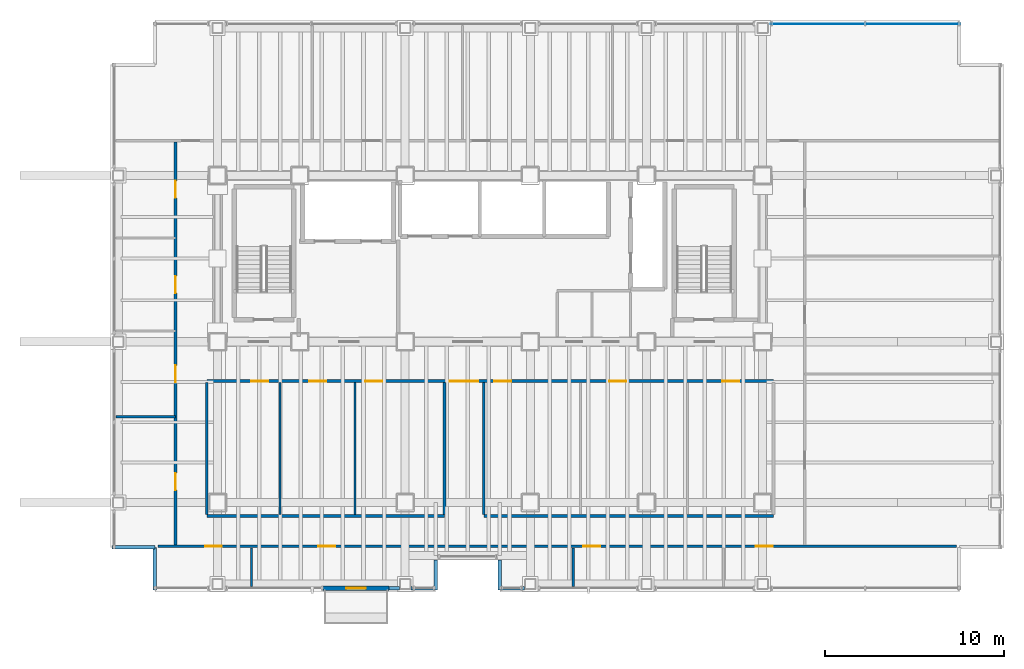
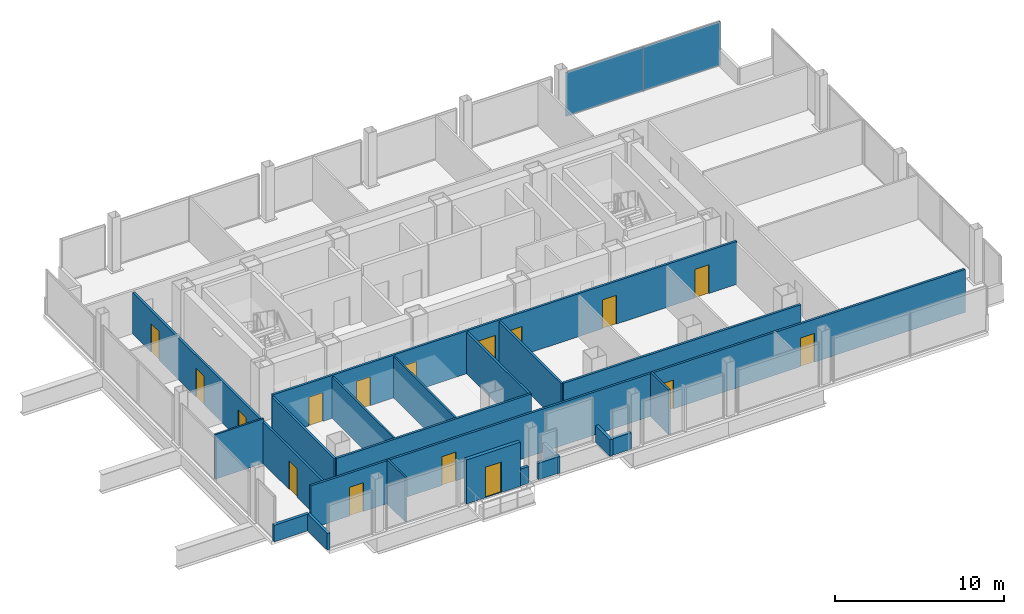
# One storey, part 20 of 23: 21 walls, 16 doors, 2 plates, 16 openings, 1 element without a shape of its own.
"""IFC4 building model written with IfcOpenShell, lengths in metres."""

from ifc_helpers import new_model, si_unit, direction, frame, frame_2d, origin, origin_2d, place, context, subcontext, project, spatial, rectangle, extrude, material, layer, layer_set, type_object, element, fill, aggregate, save


model = new_model("IFC4")

# Units and contexts
model_context = context("Model", 3, precision=1e-05, world=origin(), true_north=direction((0.0, 1.0)))
body_context = subcontext(model_context, "Body", "Model", "MODEL_VIEW")
ifc_project = project(units=[si_unit("LENGTHUNIT", "METRE"), si_unit("AREAUNIT", "SQUARE_METRE"), si_unit("VOLUMEUNIT", "CUBIC_METRE"), si_unit("PLANEANGLEUNIT", "RADIAN"), si_unit("MASSUNIT", "GRAM", prefix="KILO")], contexts=[model_context])

# Site, building, storey
site_placement = place(None, origin())
site = spatial("IfcSite", under=ifc_project, at=site_placement, CompositionType="ELEMENT")
building_placement = place(site_placement, origin())
building = spatial("IfcBuilding", under=site, at=building_placement, Name="Noeulbin Bourse Tower", CompositionType="ELEMENT")
storey_placement = place(building_placement, frame((0.0, 0.0, 53.800048828125)))
storey = spatial("IfcBuildingStorey", under=building, at=storey_placement, Name="L13", CompositionType="ELEMENT", Elevation=53.800048828125)

# Curtain wall, plates
ifc_material_1 = material(Name="Dark Solar-Control Double Glazing", Category="glass")
curtain_wall_type = type_object("IfcCurtainWallType", Name="CW-SYS-2", PredefinedType="NOTDEFINED", material=ifc_material_1)
curtain_wall_placement = place(storey_placement, origin())
curtain_wall = element("IfcCurtainWall", 1, at=curtain_wall_placement, inside=storey, type_object=curtain_wall_type, Name="Unitised Curtain Wall CW-L13-N-S6", PredefinedType="NOTDEFINED")
ifc_layer_1 = layer(ifc_material_1, 0.035888671875)
ifc_layer_set_1 = layer_set([ifc_layer_1], Name="Dark Solar-Control Double Glazing")
plate_type = type_object("IfcPlateType", Name="CW-SYS-2-PNL", PredefinedType="CURTAIN_PANEL", material=ifc_layer_set_1)
plate_1_placement = place(storey_placement, frame((47.10009765625, 46.780029296875, 0.0), z_axis=(0.0, 0.0, 1.0), x_axis=(1.0, 0.0, 0.0)))
plate_1 = element("IfcPlate", 2, at=plate_1_placement, type_object=plate_type, Name="Glazed Curtain Panel CW-L13-N-S6-P00", PredefinedType="CURTAIN_PANEL", context=body_context, shape_type="SweptSolid", body=[
    extrude(rectangle(XDim=5.280029296875, YDim=0.035888671875, at=origin_2d()), origin(), (0.0, 0.0, 1.0), 3.179931640625),
])
plate_2_placement = place(storey_placement, frame((52.3798828125, 46.780029296875, 0.0), z_axis=(0.0, 0.0, 1.0), x_axis=(1.0, 0.0, 0.0)))
plate_2 = element("IfcPlate", 3, at=plate_2_placement, type_object=plate_type, Name="Glazed Curtain Panel CW-L13-N-S6-P01", PredefinedType="CURTAIN_PANEL", context=body_context, shape_type="SweptSolid", body=[
    extrude(rectangle(XDim=5.280029296875, YDim=0.035888671875, at=origin_2d()), origin(), (0.0, 0.0, 1.0), 3.179931640625),
])
aggregate(curtain_wall, [plate_1, plate_2])

# Wall, opening, door
ifc_material_2 = material(Name="Precast Concrete C40/50", Category="concrete")
ifc_layer_2 = layer(ifc_material_2, 0.25)
ifc_layer_set_2 = layer_set([ifc_layer_2], Name="Precast Concrete C40/50")
wall_type_1 = type_object("IfcWallType", Name="WAL-EXT-250", PredefinedType="STANDARD", material=ifc_layer_set_2)
wall_1_placement = place(storey_placement, frame((19.39990234375, 15.219970703125, 0.0), z_axis=(0.0, 0.0, 1.0), x_axis=(1.0, 0.0, 0.0)))
wall_1 = element("IfcWall", 4, at=wall_1_placement, inside=storey, type_object=wall_type_1, Name="Balcony Threshold Wall L13", PredefinedType="STANDARD", context=body_context, shape_type="SweptSolid", body=[
    extrude(rectangle(XDim=3.7001953125, YDim=0.25, at=frame_2d((1.85009765625, 0.0))), origin(), (0.0, 0.0, 1.0), 3.179931640625),
])
opening_1_placement = place(wall_1_placement, frame((1.300048828125, 0.0, 0.0)))
opening_1 = element("IfcOpeningElement", 5, at=opening_1_placement, cuts=wall_1, Name="Opening BD-11", PredefinedType="OPENING", context=body_context, shape_type="SweptSolid", body=[
    extrude(rectangle(XDim=1.10009765625, YDim=2.199951171875, at=frame_2d((0.550048828125, 1.10009765625))), frame((0.0, 0.135009765625, 0.0), z_axis=(0.0, -1.0, 0.0), x_axis=(1.0, 0.0, 0.0)), (0.0, 0.0, 1.0), 0.27001953125),
])
ifc_material_3 = material(Name="Thermally Broken Aluminium Framed Glass", Category="aluminium")
door_type_1 = type_object("IfcDoorType", Name="DR-BAL-1100", OperationType="SINGLE_SWING_LEFT", PredefinedType="DOOR", material=ifc_material_3)
door_1_placement = place(opening_1_placement, origin())
door_1 = element("IfcDoor", 6, at=door_1_placement, inside=storey, type_object=door_type_1, Name="Tree-Balcony Access Door BD-L13", OperationType="SINGLE_SWING_LEFT", OverallHeight=2.199951171875, OverallWidth=1.10009765625, PredefinedType="DOOR", context=body_context, shape_type="SweptSolid", body=[
    extrude(rectangle(XDim=1.10009765625, YDim=2.199951171875, at=frame_2d((0.550048828125, 1.10009765625))), frame((0.0, 0.02490234375, 0.0), z_axis=(0.0, -1.0, 0.0), x_axis=(1.0, 0.0, 0.0)), (0.0, 0.0, 1.0), 0.050048828125),
])
fill(opening_1, door_1)

# Walls
ifc_material_4 = material(Name="Concrete C40/50", Category="concrete")
ifc_layer_3 = layer(ifc_material_4, 0.199951171875)
ifc_layer_set_3 = layer_set([ifc_layer_3], Name="Concrete C40/50")
wall_type_2 = type_object("IfcWallType", Name="WAL-PAR-200", PredefinedType="PARAPET", material=ifc_layer_set_3)
wall_2_placement = place(storey_placement, frame((23.10009765625, 15.219970703125, 0.0), z_axis=(0.0, 0.0, 1.0), x_axis=(1.0, 0.0, 0.0)))
element("IfcWall", 7, at=wall_2_placement, inside=storey, type_object=wall_type_2, Name="Perimeter Pier Spandrel Parapet L13-S1", PredefinedType="PARAPET", context=body_context, shape_type="SweptSolid", body=[
    extrude(rectangle(XDim=0.579833984375, YDim=0.199951171875, at=frame_2d((0.2900390625, 0.0))), origin(), (0.0, 0.0, 1.0), 1.199951171875),
])
for number, where, z_axis, x_axis, name in (
    (8, (24.320068359375, 15.219970703125, 0.0), (0.0, 0.0, 1.0), (1.0, 0.0, 0.0), "Perimeter Pier Spandrel Parapet L13-S2"),
    (9, (29.35009765625, 15.219970703125, 0.0), (0.0, 0.0, 1.0), (1.0, 0.0, 0.0), "Perimeter Pier Spandrel Parapet L13-S3"),
):
    element("IfcWall", number, at=place(storey_placement, frame(where, z_axis=z_axis, x_axis=x_axis)), inside=storey, type_object=wall_type_2, Name=name, PredefinedType="PARAPET", context=body_context, shape_type="SweptSolid", body=[
        extrude(rectangle(XDim=1.329833984375, YDim=0.199951171875, at=frame_2d((0.6650390625, 0.0))), origin(), (0.0, 0.0, 1.0), 1.199951171875),
    ])
for number, where, z_axis, x_axis, name in (
    (10, (7.60009765625, 17.5, 0.0), (0.0, 0.0, 1.0), (1.0, 0.0, 0.0), "Corner Notch Parapet L13-SW1"),
    (11, (10.0, 17.5, 0.0), (0.0, 0.0, 1.0), (0.0, -1.0, 0.0), "Corner Notch Parapet L13-SW2"),
):
    element("IfcWall", number, at=place(storey_placement, frame(where, z_axis=z_axis, x_axis=x_axis)), inside=storey, type_object=wall_type_2, Name=name, PredefinedType="PARAPET", context=body_context, shape_type="SweptSolid", body=[
        extrude(rectangle(XDim=2.39990234375, YDim=0.199951171875, at=frame_2d((1.199951171875, 0.0))), origin(), (0.0, 0.0, 1.0), 1.199951171875),
    ])
for number, where, z_axis, x_axis, name in (
    (12, (25.699951171875, 15.10009765625, 0.0), (0.0, 0.0, 1.0), (0.0, 1.0, 0.0), "Sky-Garden Recess Parapet L13-W"),
    (13, (29.300048828125, 16.800048828125, 0.0), (0.0, 0.0, 1.0), (0.0, -1.0, 0.0), "Sky-Garden Recess Parapet L13-E"),
):
    element("IfcWall", number, at=place(storey_placement, frame(where, z_axis=z_axis, x_axis=x_axis)), inside=storey, type_object=wall_type_2, Name=name, PredefinedType="PARAPET", context=body_context, shape_type="SweptSolid", body=[
        extrude(rectangle(XDim=1.699951171875, YDim=0.199951171875, at=frame_2d((0.85009765625, 0.0))), origin(), (0.0, 0.0, 1.0), 1.199951171875),
    ])
ifc_material_5 = material(Name="Steel Stud Gypsum Partition", Category="steel")
ifc_layer_4 = layer(ifc_material_5, 0.1201171875)
ifc_layer_set_4 = layer_set([ifc_layer_4], Name="Steel Stud Gypsum Partition")
wall_type_3 = type_object("IfcWallType", Name="WAL-PRT-120", PredefinedType="PARTITIONING", material=ifc_layer_set_4)
wall_3_placement = place(storey_placement, frame((7.81005859375, 24.800048828125, 0.0), z_axis=(0.0, 0.0, 1.0), x_axis=(1.0, 0.0, 0.0)))
element("IfcWall", 14, at=wall_3_placement, inside=storey, type_object=wall_type_3, Name="Interior Partition Wall L13-07", PredefinedType="PARTITIONING", context=body_context, shape_type="SweptSolid", body=[
    extrude(rectangle(XDim=3.33984375, YDim=0.1201171875, at=frame_2d((1.669921875, 0.0))), origin(), (0.0, 0.0, 1.0), 3.2119140625),
])
for number, where, z_axis, x_axis, name in (
    (15, (15.39990234375, 15.31005859375, 0.0), (0.0, 0.0, 1.0), (0.0, 1.0, 0.0), "Interior Partition Wall L13-25"),
    (16, (33.39990234375, 15.31005859375, 0.0), (0.0, 0.0, 1.0), (0.0, 1.0, 0.0), "Interior Partition Wall L13-26"),
):
    element("IfcWall", number, at=place(storey_placement, frame(where, z_axis=z_axis, x_axis=x_axis)), inside=storey, type_object=wall_type_3, Name=name, PredefinedType="PARTITIONING", context=body_context, shape_type="SweptSolid", body=[
        extrude(rectangle(XDim=2.155029296875, YDim=0.1201171875, at=frame_2d((1.07763671875, 0.0))), origin(), (0.0, 0.0, 1.0), 3.2119140625),
    ])
for number, where, z_axis, x_axis, name in (
    (17, (17.0, 19.3349609375, 0.0), (0.0, 0.0, 1.0), (0.0, 1.0, 0.0), "Interior Partition Wall L13-28"),
    (18, (21.199951171875, 19.3349609375, 0.0), (0.0, 0.0, 1.0), (0.0, 1.0, 0.0), "Interior Partition Wall L13-29"),
):
    element("IfcWall", number, at=place(storey_placement, frame(where, z_axis=z_axis, x_axis=x_axis)), inside=storey, type_object=wall_type_3, Name=name, PredefinedType="PARTITIONING", context=body_context, shape_type="SweptSolid", body=[
        extrude(rectangle(XDim=7.380126953125, YDim=0.1201171875, at=frame_2d((3.68994140625, 0.0))), origin(), (0.0, 0.0, 1.0), 3.0),
    ])

# Wall, openings, doors
ifc_material_6 = material(Name="Steel Stud Acoustic Gypsum Board", Category="steel")
ifc_layer_5 = layer(ifc_material_6, 0.14990234375)
ifc_layer_set_5 = layer_set([ifc_layer_5], Name="Steel Stud Acoustic Gypsum Board")
wall_type_4 = type_object("IfcWallType", Name="WAL-PRT-150", PredefinedType="PARTITIONING", material=ifc_layer_set_5)
wall_4_placement = place(storey_placement, frame((12.89990234375, 26.800048828125, 0.0), z_axis=(0.0, 0.0, 1.0), x_axis=(1.0, 0.0, 0.0)))
wall_4 = element("IfcWall", 19, at=wall_4_placement, inside=storey, type_object=wall_type_4, Name="Interior Partition Wall L13-03", PredefinedType="PARTITIONING", context=body_context, shape_type="SweptSolid", body=[
    extrude(rectangle(XDim=31.7001953125, YDim=0.14990234375, at=frame_2d((15.85009765625, 0.0))), origin(), (0.0, 0.0, 1.0), 3.099853515625),
])
opening_2_placement = place(wall_4_placement, frame((13.60009765625, 0.0, 0.0)))
opening_2 = element("IfcOpeningElement", 20, at=opening_2_placement, cuts=wall_4, Name="Opening ID-16", PredefinedType="OPENING", context=body_context, shape_type="SweptSolid", body=[
    extrude(rectangle(XDim=1.60009765625, YDim=2.080078125, at=frame_2d((0.800048828125, 1.0400390625))), frame((0.0, 0.0849609375, 0.0), z_axis=(0.0, -1.0, 0.0), x_axis=(1.0, 0.0, 0.0)), (0.0, 0.0, 1.0), 0.169921875),
])
opening_3_placement = place(wall_4_placement, frame((2.47509765625, 0.0, 0.0)))
opening_3 = element("IfcOpeningElement", 21, at=opening_3_placement, cuts=wall_4, Name="Opening ID-09", PredefinedType="OPENING", context=body_context, shape_type="SweptSolid", body=[
    extrude(rectangle(XDim=0.949951171875, YDim=2.080078125, at=frame_2d((0.47509765625, 1.0400390625))), frame((0.0, 0.0849609375, 0.0), z_axis=(0.0, -1.0, 0.0), x_axis=(1.0, 0.0, 0.0)), (0.0, 0.0, 1.0), 0.169921875),
])
opening_4_placement = place(wall_4_placement, frame((5.72509765625, 0.0, 0.0)))
opening_4 = element("IfcOpeningElement", 22, at=opening_4_placement, cuts=wall_4, Name="Opening ID-09", PredefinedType="OPENING", context=body_context, shape_type="SweptSolid", body=[
    extrude(rectangle(XDim=0.949951171875, YDim=2.080078125, at=frame_2d((0.47509765625, 1.0400390625))), frame((0.0, 0.0849609375, 0.0), z_axis=(0.0, -1.0, 0.0), x_axis=(1.0, 0.0, 0.0)), (0.0, 0.0, 1.0), 0.169921875),
])
opening_5_placement = place(wall_4_placement, frame((8.875, 0.0, 0.0)))
opening_5 = element("IfcOpeningElement", 23, at=opening_5_placement, cuts=wall_4, Name="Opening ID-09", PredefinedType="OPENING", context=body_context, shape_type="SweptSolid", body=[
    extrude(rectangle(XDim=0.949951171875, YDim=2.080078125, at=frame_2d((0.47509765625, 1.0400390625))), frame((0.0, 0.0849609375, 0.0), z_axis=(0.0, -1.0, 0.0), x_axis=(1.0, 0.0, 0.0)), (0.0, 0.0, 1.0), 0.169921875),
])
opening_6_placement = place(wall_4_placement, frame((16.074951171875, 0.0, 0.0)))
opening_6 = element("IfcOpeningElement", 24, at=opening_6_placement, cuts=wall_4, Name="Opening ID-09", PredefinedType="OPENING", context=body_context, shape_type="SweptSolid", body=[
    extrude(rectangle(XDim=0.949951171875, YDim=2.080078125, at=frame_2d((0.47509765625, 1.0400390625))), frame((0.0, 0.0849609375, 0.0), z_axis=(0.0, -1.0, 0.0), x_axis=(1.0, 0.0, 0.0)), (0.0, 0.0, 1.0), 0.169921875),
])
opening_7_placement = place(wall_4_placement, frame((22.52490234375, 0.0, 0.0)))
opening_7 = element("IfcOpeningElement", 25, at=opening_7_placement, cuts=wall_4, Name="Opening ID-09", PredefinedType="OPENING", context=body_context, shape_type="SweptSolid", body=[
    extrude(rectangle(XDim=0.949951171875, YDim=2.080078125, at=frame_2d((0.47509765625, 1.0400390625))), frame((0.0, 0.0849609375, 0.0), z_axis=(0.0, -1.0, 0.0), x_axis=(1.0, 0.0, 0.0)), (0.0, 0.0, 1.0), 0.169921875),
])
opening_8_placement = place(wall_4_placement, frame((28.824951171875, 0.0, 0.0)))
opening_8 = element("IfcOpeningElement", 26, at=opening_8_placement, cuts=wall_4, Name="Opening ID-09", PredefinedType="OPENING", context=body_context, shape_type="SweptSolid", body=[
    extrude(rectangle(XDim=0.949951171875, YDim=2.080078125, at=frame_2d((0.47509765625, 1.0400390625))), frame((0.0, 0.0849609375, 0.0), z_axis=(0.0, -1.0, 0.0), x_axis=(1.0, 0.0, 0.0)), (0.0, 0.0, 1.0), 0.169921875),
])
ifc_material_7 = material(Name="Acoustic Glazed Aluminium", Category="aluminium")
door_type_2 = type_object("IfcDoorType", Name="DR-DBL-1600", OperationType="DOUBLE_DOOR_SINGLE_SWING", PredefinedType="DOOR", material=ifc_material_7)
door_2_placement = place(opening_2_placement, origin())
door_2 = element("IfcDoor", 27, at=door_2_placement, inside=storey, type_object=door_type_2, Name="Interior Door L13-07", OperationType="DOUBLE_DOOR_SINGLE_SWING", OverallHeight=2.080078125, OverallWidth=1.60009765625, PredefinedType="DOOR", context=body_context, shape_type="SweptSolid", body=[
    extrude(rectangle(XDim=1.60009765625, YDim=2.080078125, at=frame_2d((0.800048828125, 1.0400390625))), frame((0.0, 0.02490234375, 0.0), z_axis=(0.0, -1.0, 0.0), x_axis=(1.0, 0.0, 0.0)), (0.0, 0.0, 1.0), 0.050048828125),
])
fill(opening_2, door_2)
ifc_material_8 = material(Name="Acoustic Solid-Core Timber", Category="wood")
door_type_3 = type_object("IfcDoorType", Name="DR-SINGLE-950", OperationType="SINGLE_SWING_LEFT", PredefinedType="DOOR", material=ifc_material_8)
door_3_placement = place(opening_3_placement, origin())
door_3 = element("IfcDoor", 28, at=door_3_placement, inside=storey, type_object=door_type_3, Name="Interior Door L13-12", OperationType="SINGLE_SWING_LEFT", OverallHeight=2.080078125, OverallWidth=0.949951171875, PredefinedType="DOOR", context=body_context, shape_type="SweptSolid", body=[
    extrude(rectangle(XDim=0.949951171875, YDim=2.080078125, at=frame_2d((0.47509765625, 1.0400390625))), frame((0.0, 0.02490234375, 0.0), z_axis=(0.0, -1.0, 0.0), x_axis=(1.0, 0.0, 0.0)), (0.0, 0.0, 1.0), 0.050048828125),
])
fill(opening_3, door_3)
door_4_placement = place(opening_4_placement, origin())
door_4 = element("IfcDoor", 29, at=door_4_placement, inside=storey, type_object=door_type_3, Name="Interior Door L13-13", OperationType="SINGLE_SWING_RIGHT", OverallHeight=2.080078125, OverallWidth=0.949951171875, PredefinedType="DOOR", context=body_context, shape_type="SweptSolid", body=[
    extrude(rectangle(XDim=0.949951171875, YDim=2.080078125, at=frame_2d((0.47509765625, 1.0400390625))), frame((0.0, 0.02490234375, 0.0), z_axis=(0.0, -1.0, 0.0), x_axis=(1.0, 0.0, 0.0)), (0.0, 0.0, 1.0), 0.050048828125),
])
fill(opening_4, door_4)
door_5_placement = place(opening_5_placement, origin())
door_5 = element("IfcDoor", 30, at=door_5_placement, inside=storey, type_object=door_type_3, Name="Interior Door L13-14", OperationType="SINGLE_SWING_LEFT", OverallHeight=2.080078125, OverallWidth=0.949951171875, PredefinedType="DOOR", context=body_context, shape_type="SweptSolid", body=[
    extrude(rectangle(XDim=0.949951171875, YDim=2.080078125, at=frame_2d((0.47509765625, 1.0400390625))), frame((0.0, 0.02490234375, 0.0), z_axis=(0.0, -1.0, 0.0), x_axis=(1.0, 0.0, 0.0)), (0.0, 0.0, 1.0), 0.050048828125),
])
fill(opening_5, door_5)
door_6_placement = place(opening_6_placement, origin())
door_6 = element("IfcDoor", 31, at=door_6_placement, inside=storey, type_object=door_type_3, Name="Interior Door L13-15", OperationType="SINGLE_SWING_RIGHT", OverallHeight=2.080078125, OverallWidth=0.949951171875, PredefinedType="DOOR", context=body_context, shape_type="SweptSolid", body=[
    extrude(rectangle(XDim=0.949951171875, YDim=2.080078125, at=frame_2d((0.47509765625, 1.0400390625))), frame((0.0, 0.02490234375, 0.0), z_axis=(0.0, -1.0, 0.0), x_axis=(1.0, 0.0, 0.0)), (0.0, 0.0, 1.0), 0.050048828125),
])
fill(opening_6, door_6)
door_7_placement = place(opening_7_placement, origin())
door_7 = element("IfcDoor", 32, at=door_7_placement, inside=storey, type_object=door_type_3, Name="Interior Door L13-16", OperationType="SINGLE_SWING_LEFT", OverallHeight=2.080078125, OverallWidth=0.949951171875, PredefinedType="DOOR", context=body_context, shape_type="SweptSolid", body=[
    extrude(rectangle(XDim=0.949951171875, YDim=2.080078125, at=frame_2d((0.47509765625, 1.0400390625))), frame((0.0, 0.02490234375, 0.0), z_axis=(0.0, -1.0, 0.0), x_axis=(1.0, 0.0, 0.0)), (0.0, 0.0, 1.0), 0.050048828125),
])
fill(opening_7, door_7)
door_8_placement = place(opening_8_placement, origin())
door_8 = element("IfcDoor", 33, at=door_8_placement, inside=storey, type_object=door_type_3, Name="Interior Door L13-17", OperationType="SINGLE_SWING_RIGHT", OverallHeight=2.080078125, OverallWidth=0.949951171875, PredefinedType="DOOR", context=body_context, shape_type="SweptSolid", body=[
    extrude(rectangle(XDim=0.949951171875, YDim=2.080078125, at=frame_2d((0.47509765625, 1.0400390625))), frame((0.0, 0.02490234375, 0.0), z_axis=(0.0, -1.0, 0.0), x_axis=(1.0, 0.0, 0.0)), (0.0, 0.0, 1.0), 0.050048828125),
])
fill(opening_8, door_8)

wall_5_placement = place(storey_placement, frame((10.159912109375, 17.550048828125, 0.0), z_axis=(0.0, 0.0, 1.0), x_axis=(1.0, 0.0, 0.0)))
wall_5 = element("IfcWall", 34, at=wall_5_placement, inside=storey, type_object=wall_type_4, Name="Interior Partition Wall L13-04", PredefinedType="PARTITIONING", context=body_context, shape_type="SweptSolid", body=[
    extrude(rectangle(XDim=44.68017578125, YDim=0.14990234375, at=frame_2d((22.340087890625, 0.0))), origin(), (0.0, 0.0, 1.0), 3.099853515625),
])
opening_9_placement = place(wall_5_placement, frame((2.639892578125, 0.0, 0.0)))
opening_9 = element("IfcOpeningElement", 35, at=opening_9_placement, cuts=wall_5, Name="Opening ID-09", PredefinedType="OPENING", context=body_context, shape_type="SweptSolid", body=[
    extrude(rectangle(XDim=0.949951171875, YDim=2.080078125, at=frame_2d((0.47509765625, 1.0400390625))), frame((0.0, 0.0849609375, 0.0), z_axis=(0.0, -1.0, 0.0), x_axis=(1.0, 0.0, 0.0)), (0.0, 0.0, 1.0), 0.169921875),
])
opening_10_placement = place(wall_5_placement, frame((8.965087890625, 0.0, 0.0)))
opening_10 = element("IfcOpeningElement", 36, at=opening_10_placement, cuts=wall_5, Name="Opening ID-09", PredefinedType="OPENING", context=body_context, shape_type="SweptSolid", body=[
    extrude(rectangle(XDim=0.949951171875, YDim=2.080078125, at=frame_2d((0.47509765625, 1.0400390625))), frame((0.0, 0.0849609375, 0.0), z_axis=(0.0, -1.0, 0.0), x_axis=(1.0, 0.0, 0.0)), (0.0, 0.0, 1.0), 0.169921875),
])
opening_11_placement = place(wall_5_placement, frame((23.81494140625, 0.0, 0.0)))
opening_11 = element("IfcOpeningElement", 37, at=opening_11_placement, cuts=wall_5, Name="Opening ID-09", PredefinedType="OPENING", context=body_context, shape_type="SweptSolid", body=[
    extrude(rectangle(XDim=0.949951171875, YDim=2.080078125, at=frame_2d((0.47509765625, 1.0400390625))), frame((0.0, 0.0849609375, 0.0), z_axis=(0.0, -1.0, 0.0), x_axis=(1.0, 0.0, 0.0)), (0.0, 0.0, 1.0), 0.169921875),
])
opening_12_placement = place(wall_5_placement, frame((33.43994140625, 0.0, 0.0)))
opening_12 = element("IfcOpeningElement", 38, at=opening_12_placement, cuts=wall_5, Name="Opening ID-09", PredefinedType="OPENING", context=body_context, shape_type="SweptSolid", body=[
    extrude(rectangle(XDim=0.949951171875, YDim=2.080078125, at=frame_2d((0.47509765625, 1.0400390625))), frame((0.0, 0.0849609375, 0.0), z_axis=(0.0, -1.0, 0.0), x_axis=(1.0, 0.0, 0.0)), (0.0, 0.0, 1.0), 0.169921875),
])
door_9_placement = place(opening_9_placement, origin())
door_9 = element("IfcDoor", 39, at=door_9_placement, inside=storey, type_object=door_type_3, Name="Interior Door L13-08", OperationType="SINGLE_SWING_LEFT", OverallHeight=2.080078125, OverallWidth=0.949951171875, PredefinedType="DOOR", context=body_context, shape_type="SweptSolid", body=[
    extrude(rectangle(XDim=0.949951171875, YDim=2.080078125, at=frame_2d((0.47509765625, 1.0400390625))), frame((0.0, 0.02490234375, 0.0), z_axis=(0.0, -1.0, 0.0), x_axis=(1.0, 0.0, 0.0)), (0.0, 0.0, 1.0), 0.050048828125),
])
fill(opening_9, door_9)
door_10_placement = place(opening_10_placement, origin())
door_10 = element("IfcDoor", 40, at=door_10_placement, inside=storey, type_object=door_type_3, Name="Interior Door L13-09", OperationType="SINGLE_SWING_RIGHT", OverallHeight=2.080078125, OverallWidth=0.949951171875, PredefinedType="DOOR", context=body_context, shape_type="SweptSolid", body=[
    extrude(rectangle(XDim=0.949951171875, YDim=2.080078125, at=frame_2d((0.47509765625, 1.0400390625))), frame((0.0, 0.02490234375, 0.0), z_axis=(0.0, -1.0, 0.0), x_axis=(1.0, 0.0, 0.0)), (0.0, 0.0, 1.0), 0.050048828125),
])
fill(opening_10, door_10)
door_11_placement = place(opening_11_placement, origin())
door_11 = element("IfcDoor", 41, at=door_11_placement, inside=storey, type_object=door_type_3, Name="Interior Door L13-10", OperationType="SINGLE_SWING_LEFT", OverallHeight=2.080078125, OverallWidth=0.949951171875, PredefinedType="DOOR", context=body_context, shape_type="SweptSolid", body=[
    extrude(rectangle(XDim=0.949951171875, YDim=2.080078125, at=frame_2d((0.47509765625, 1.0400390625))), frame((0.0, 0.02490234375, 0.0), z_axis=(0.0, -1.0, 0.0), x_axis=(1.0, 0.0, 0.0)), (0.0, 0.0, 1.0), 0.050048828125),
])
fill(opening_11, door_11)
door_12_placement = place(opening_12_placement, origin())
door_12 = element("IfcDoor", 42, at=door_12_placement, inside=storey, type_object=door_type_3, Name="Interior Door L13-11", OperationType="SINGLE_SWING_RIGHT", OverallHeight=2.080078125, OverallWidth=0.949951171875, PredefinedType="DOOR", context=body_context, shape_type="SweptSolid", body=[
    extrude(rectangle(XDim=0.949951171875, YDim=2.080078125, at=frame_2d((0.47509765625, 1.0400390625))), frame((0.0, 0.02490234375, 0.0), z_axis=(0.0, -1.0, 0.0), x_axis=(1.0, 0.0, 0.0)), (0.0, 0.0, 1.0), 0.050048828125),
])
fill(opening_12, door_12)

# Walls
wall_6_placement = place(storey_placement, frame((12.89990234375, 19.25, 0.0), z_axis=(0.0, 0.0, 1.0), x_axis=(1.0, 0.0, 0.0)))
element("IfcWall", 43, at=wall_6_placement, inside=storey, type_object=wall_type_4, Name="Interior Partition Wall L13-05", PredefinedType="PARTITIONING", context=body_context, shape_type="SweptSolid", body=[
    extrude(rectangle(XDim=13.300048828125, YDim=0.14990234375, at=frame_2d((6.64990234375, 0.0))), origin(), (0.0, 0.0, 1.0), 3.099853515625),
])
wall_7_placement = place(storey_placement, frame((28.39990234375, 19.25, 0.0), z_axis=(0.0, 0.0, 1.0), x_axis=(1.0, 0.0, 0.0)))
element("IfcWall", 44, at=wall_7_placement, inside=storey, type_object=wall_type_4, Name="Interior Partition Wall L13-06", PredefinedType="PARTITIONING", context=body_context, shape_type="SweptSolid", body=[
    extrude(rectangle(XDim=16.2001953125, YDim=0.14990234375, at=frame_2d((8.10009765625, 0.0))), origin(), (0.0, 0.0, 1.0), 3.099853515625),
])
for number, where, z_axis, x_axis, name in (
    (45, (26.199951171875, 19.3349609375, 0.0), (0.0, 0.0, 1.0), (0.0, 1.0, 0.0), "Interior Partition Wall L13-19"),
    (46, (28.39990234375, 19.3349609375, 0.0), (0.0, 0.0, 1.0), (0.0, 1.0, 0.0), "Interior Partition Wall L13-20"),
):
    element("IfcWall", number, at=place(storey_placement, frame(where, z_axis=z_axis, x_axis=x_axis)), inside=storey, type_object=wall_type_4, Name=name, PredefinedType="PARTITIONING", context=body_context, shape_type="SweptSolid", body=[
        extrude(rectangle(XDim=7.380126953125, YDim=0.14990234375, at=frame_2d((3.68994140625, 0.0))), origin(), (0.0, 0.0, 1.0), 3.0),
    ])

# Wall, openings, doors
wall_8_placement = place(storey_placement, frame((11.14990234375, 17.635009765625, 0.0), z_axis=(0.0, 0.0, 1.0), x_axis=(0.0, 1.0, 0.0)))
wall_8 = element("IfcWall", 47, at=wall_8_placement, inside=storey, type_object=wall_type_4, Name="Interior Partition Wall L13-21", PredefinedType="PARTITIONING", context=body_context, shape_type="SweptSolid", body=[
    extrude(rectangle(XDim=22.530029296875, YDim=0.14990234375, at=frame_2d((11.26513671875, 0.0))), origin(), (0.0, 0.0, 1.0), 3.0),
])
opening_13_placement = place(wall_8_placement, frame((3.06494140625, 0.0, 0.0)))
opening_13 = element("IfcOpeningElement", 48, at=opening_13_placement, cuts=wall_8, Name="Opening ID-09", PredefinedType="OPENING", context=body_context, shape_type="SweptSolid", body=[
    extrude(rectangle(XDim=0.949951171875, YDim=2.080078125, at=frame_2d((0.47509765625, 1.0400390625))), frame((0.0, 0.0849609375, 0.0), z_axis=(0.0, -1.0, 0.0), x_axis=(1.0, 0.0, 0.0)), (0.0, 0.0, 1.0), 0.169921875),
])
opening_14_placement = place(wall_8_placement, frame((9.090087890625, 0.0, 0.0)))
opening_14 = element("IfcOpeningElement", 49, at=opening_14_placement, cuts=wall_8, Name="Opening ID-09", PredefinedType="OPENING", context=body_context, shape_type="SweptSolid", body=[
    extrude(rectangle(XDim=0.949951171875, YDim=2.080078125, at=frame_2d((0.47509765625, 1.0400390625))), frame((0.0, 0.0849609375, 0.0), z_axis=(0.0, -1.0, 0.0), x_axis=(1.0, 0.0, 0.0)), (0.0, 0.0, 1.0), 0.169921875),
])
opening_15_placement = place(wall_8_placement, frame((14.090087890625, 0.0, 0.0)))
opening_15 = element("IfcOpeningElement", 50, at=opening_15_placement, cuts=wall_8, Name="Opening ID-09", PredefinedType="OPENING", context=body_context, shape_type="SweptSolid", body=[
    extrude(rectangle(XDim=0.949951171875, YDim=2.080078125, at=frame_2d((0.47509765625, 1.0400390625))), frame((0.0, 0.0849609375, 0.0), z_axis=(0.0, -1.0, 0.0), x_axis=(1.0, 0.0, 0.0)), (0.0, 0.0, 1.0), 0.169921875),
])
opening_16_placement = place(wall_8_placement, frame((19.4150390625, 0.0, 0.0)))
opening_16 = element("IfcOpeningElement", 51, at=opening_16_placement, cuts=wall_8, Name="Opening ID-09", PredefinedType="OPENING", context=body_context, shape_type="SweptSolid", body=[
    extrude(rectangle(XDim=0.949951171875, YDim=2.080078125, at=frame_2d((0.47509765625, 1.0400390625))), frame((0.0, 0.0849609375, 0.0), z_axis=(0.0, -1.0, 0.0), x_axis=(1.0, 0.0, 0.0)), (0.0, 0.0, 1.0), 0.169921875),
])
door_13_placement = place(opening_13_placement, origin())
door_13 = element("IfcDoor", 52, at=door_13_placement, inside=storey, type_object=door_type_3, Name="Interior Door L13-18", OperationType="SINGLE_SWING_LEFT", OverallHeight=2.080078125, OverallWidth=0.949951171875, PredefinedType="DOOR", context=body_context, shape_type="SweptSolid", body=[
    extrude(rectangle(XDim=0.949951171875, YDim=2.080078125, at=frame_2d((0.47509765625, 1.0400390625))), frame((0.0, 0.02490234375, 0.0), z_axis=(0.0, -1.0, 0.0), x_axis=(1.0, 0.0, 0.0)), (0.0, 0.0, 1.0), 0.050048828125),
])
fill(opening_13, door_13)
door_14_placement = place(opening_14_placement, origin())
door_14 = element("IfcDoor", 53, at=door_14_placement, inside=storey, type_object=door_type_3, Name="Interior Door L13-19", OperationType="SINGLE_SWING_RIGHT", OverallHeight=2.080078125, OverallWidth=0.949951171875, PredefinedType="DOOR", context=body_context, shape_type="SweptSolid", body=[
    extrude(rectangle(XDim=0.949951171875, YDim=2.080078125, at=frame_2d((0.47509765625, 1.0400390625))), frame((0.0, 0.02490234375, 0.0), z_axis=(0.0, -1.0, 0.0), x_axis=(1.0, 0.0, 0.0)), (0.0, 0.0, 1.0), 0.050048828125),
])
fill(opening_14, door_14)
door_15_placement = place(opening_15_placement, origin())
door_15 = element("IfcDoor", 54, at=door_15_placement, inside=storey, type_object=door_type_3, Name="Interior Door L13-20", OperationType="SINGLE_SWING_LEFT", OverallHeight=2.080078125, OverallWidth=0.949951171875, PredefinedType="DOOR", context=body_context, shape_type="SweptSolid", body=[
    extrude(rectangle(XDim=0.949951171875, YDim=2.080078125, at=frame_2d((0.47509765625, 1.0400390625))), frame((0.0, 0.02490234375, 0.0), z_axis=(0.0, -1.0, 0.0), x_axis=(1.0, 0.0, 0.0)), (0.0, 0.0, 1.0), 0.050048828125),
])
fill(opening_15, door_15)
door_16_placement = place(opening_16_placement, origin())
door_16 = element("IfcDoor", 55, at=door_16_placement, inside=storey, type_object=door_type_3, Name="Interior Door L13-21", OperationType="SINGLE_SWING_RIGHT", OverallHeight=2.080078125, OverallWidth=0.949951171875, PredefinedType="DOOR", context=body_context, shape_type="SweptSolid", body=[
    extrude(rectangle(XDim=0.949951171875, YDim=2.080078125, at=frame_2d((0.47509765625, 1.0400390625))), frame((0.0, 0.02490234375, 0.0), z_axis=(0.0, -1.0, 0.0), x_axis=(1.0, 0.0, 0.0)), (0.0, 0.0, 1.0), 0.050048828125),
])
fill(opening_16, door_16)

# Wall
wall_9_placement = place(storey_placement, frame((12.89990234375, 19.3349609375, 0.0), z_axis=(0.0, 0.0, 1.0), x_axis=(0.0, 1.0, 0.0)))
element("IfcWall", 56, at=wall_9_placement, inside=storey, type_object=wall_type_4, Name="Interior Partition Wall L13-22", PredefinedType="PARTITIONING", context=body_context, shape_type="SweptSolid", body=[
    extrude(rectangle(XDim=7.380126953125, YDim=0.14990234375, at=frame_2d((3.68994140625, 0.0))), origin(), (0.0, 0.0, 1.0), 3.0),
])

save(model, "model.ifc")
